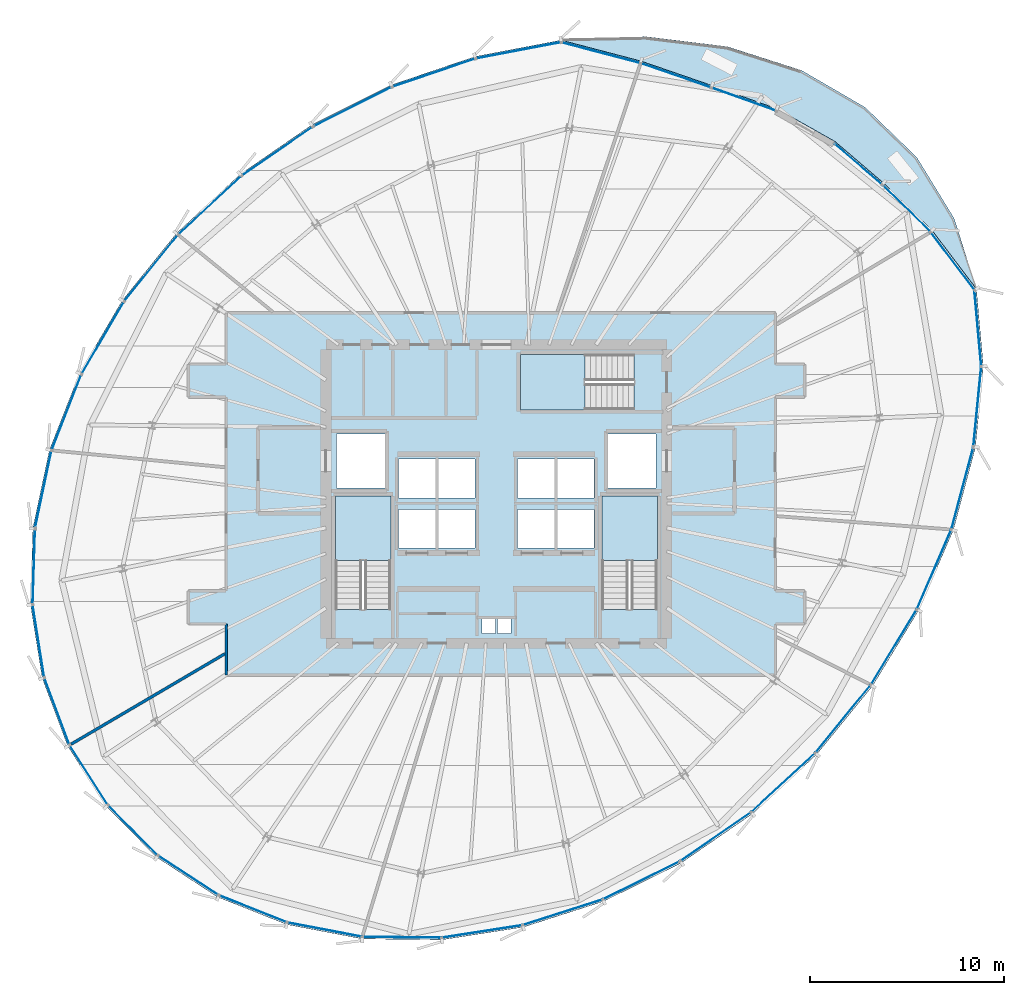
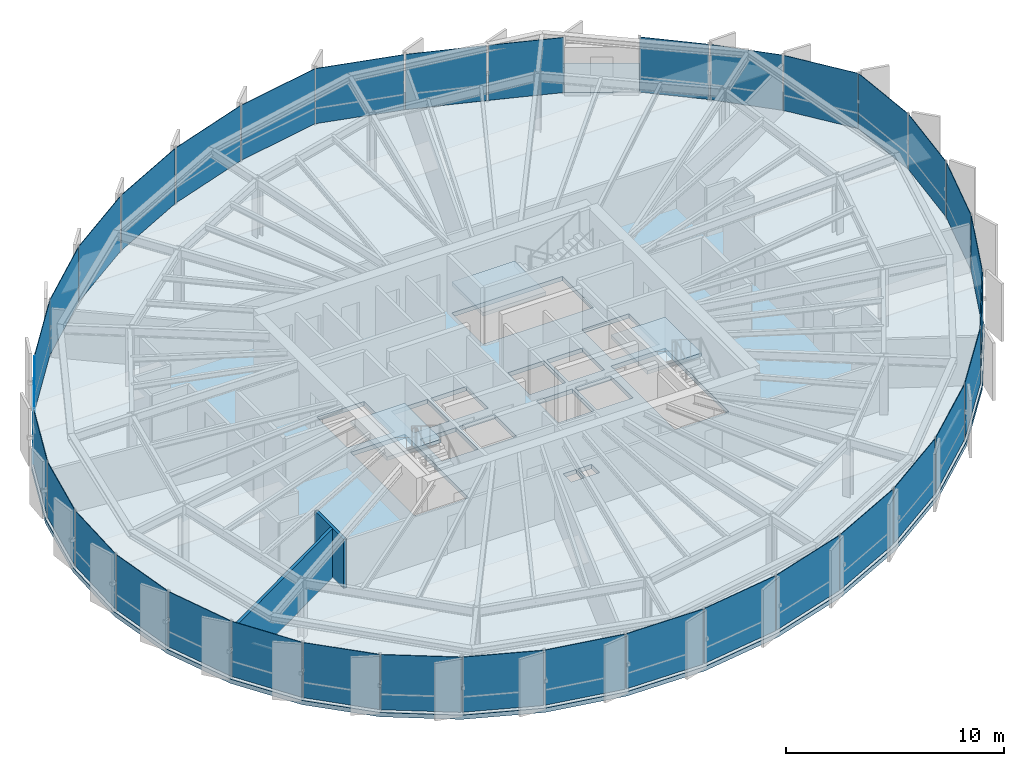
# One storey, part 28 of 34: 35 plates, 5 slabs, 2 walls, 10 elements without a shape of their own.
"""IFC4 building model written with IfcOpenShell, lengths in metres."""

from ifc_helpers import new_model, si_unit, direction, frame, frame_2d, origin, origin_2d, place, context, subcontext, project, spatial, polyline, rectangle, outline, extrude, source, transform, mapped, material, layer, layer_set, type_object, element, aggregate, save


model = new_model("IFC4")

# Units and contexts
model_context = context("Model", 3, precision=1e-05, world=origin(), true_north=direction((0.0, 1.0)))
body_context = subcontext(model_context, "Body", "Model", "MODEL_VIEW")
ifc_project = project(units=[si_unit("LENGTHUNIT", "METRE"), si_unit("AREAUNIT", "SQUARE_METRE"), si_unit("VOLUMEUNIT", "CUBIC_METRE"), si_unit("PLANEANGLEUNIT", "RADIAN"), si_unit("MASSUNIT", "GRAM", prefix="KILO"), si_unit("THERMODYNAMICTEMPERATUREUNIT", "KELVIN")], contexts=[model_context])

# Site, building, storey
site_placement = place(None, origin())
site = spatial("IfcSite", under=ifc_project, at=site_placement, CompositionType="ELEMENT")
building_placement = place(site_placement, origin())
building = spatial("IfcBuilding", under=site, at=building_placement, Name="Kethvar Cultural Tower", CompositionType="ELEMENT")
storey_placement = place(building_placement, frame((0.0, 0.0, 190.39990234375)))
storey = spatial("IfcBuildingStorey", under=building, at=storey_placement, Name="L49", CompositionType="ELEMENT", Elevation=190.39990234375)

# Stair, slab
ifc_material_1 = material(Name="Concrete C40/50", Category="concrete")
stair_type = type_object("IfcStairType", Name="ST-DOGLEG-135", PredefinedType="HALF_TURN_STAIR", material=ifc_material_1)
stair_1_placement = place(storey_placement, origin())
stair_1 = element("IfcStair", 1, at=stair_1_placement, inside=storey, type_object=stair_type, Name="L49 Core Exit Stair 1", PredefinedType="HALF_TURN_STAIR")
ifc_layer_1 = layer(ifc_material_1, 0.199951171875, Name="Concrete C40/50", Category="concrete")
ifc_layer_set_1 = layer_set([ifc_layer_1], Name="Concrete C40/50 (200 mm)")
slab_type_1 = type_object("IfcSlabType", Name="SL-STAIR-LANDING-200", PredefinedType="LANDING", material=ifc_layer_set_1)
slab_1_placement = place(storey_placement, frame((0.0, 0.0, 1.550048828125)))
slab_1 = element("IfcSlab", 2, at=slab_1_placement, type_object=slab_type_1, Name="ST-01 landing 1", PredefinedType="LANDING", context=body_context, shape_type="SweptSolid", body=[
    extrude(outline(polyline([(41.35009765625, 24.3701171875), (41.35009765625, 27.699951171875), (38.489990234375, 27.699951171875), (38.489990234375, 24.3701171875), (41.35009765625, 24.3701171875)])), origin(), (0.0, 0.0, 1.0), 0.199951171875),
])
aggregate(stair_1, [slab_1])

stair_2_placement = place(storey_placement, origin())
stair_2 = element("IfcStair", 3, at=stair_2_placement, inside=storey, type_object=stair_type, Name="L49 Core Exit Stair 2", PredefinedType="HALF_TURN_STAIR")
slab_2_placement = place(storey_placement, frame((0.0, 0.0, 1.550048828125)))
slab_2 = element("IfcSlab", 4, at=slab_2_placement, type_object=slab_type_1, Name="ST-02 landing 1", PredefinedType="LANDING", context=body_context, shape_type="SweptSolid", body=[
    extrude(outline(polyline([(55.110107421875, 24.3701171875), (55.110107421875, 27.699951171875), (52.25, 27.699951171875), (52.25, 24.3701171875), (55.110107421875, 24.3701171875)])), origin(), (0.0, 0.0, 1.0), 0.199951171875),
])
aggregate(stair_2, [slab_2])

stair_3_placement = place(storey_placement, origin())
stair_3 = element("IfcStair", 5, at=stair_3_placement, inside=storey, type_object=stair_type, Name="L49 Core Exit Stair 3", PredefinedType="HALF_TURN_STAIR")
slab_3_placement = place(storey_placement, frame((0.0, 0.0, 1.550048828125)))
slab_3 = element("IfcSlab", 6, at=slab_3_placement, type_object=slab_type_1, Name="ST-03 landing 1", PredefinedType="LANDING", context=body_context, shape_type="SweptSolid", body=[
    extrude(outline(polyline([(51.3798828125, 35.010009765625), (48.050048828125, 35.010009765625), (48.050048828125, 32.14990234375), (51.3798828125, 32.14990234375), (51.3798828125, 35.010009765625)])), origin(), (0.0, 0.0, 1.0), 0.199951171875),
])
aggregate(stair_3, [slab_3])

# Slabs
ifc_layer_2 = layer(ifc_material_1, 0.215087890625, Name="Concrete C40/50", Category="concrete")
ifc_layer_set_2 = layer_set([ifc_layer_2], Name="Concrete C40/50 (215 mm)")
slab_type_2 = type_object("IfcSlabType", Name="SL-TER-EXT", PredefinedType="FLOOR", material=ifc_layer_set_2)
slab_4_placement = place(storey_placement, frame((0.0, 0.0, -0.21484375)))
element("IfcSlab", 7, at=slab_4_placement, inside=storey, type_object=slab_type_2, Name="L49 Spiralling Sky Terrace Deck", PredefinedType="FLOOR", context=body_context, shape_type="SweptSolid", body=[
    extrude(outline(polyline([(71.587890625, 38.38671875), (70.435546875, 42.028076171875), (68.5029296875, 45.1875), (65.84130859375, 47.7626953125), (62.5390625, 49.681640625), (58.71875, 50.90380859375), (54.5283203125, 51.41748046875), (50.130615234375, 51.23583984375), (54.27490234375, 50.150146484375), (57.933349609375, 48.889404296875), (61.318115234375, 47.673583984375), (64.290283203125, 45.9970703125), (66.815673828125, 43.835693359375), (69.3017578125, 41.4072265625), (71.587890625, 38.38671875)])), origin(), (0.0, 0.0, 1.0), 0.21484375),
])
ifc_layer_3 = layer(ifc_material_1, 0.239990234375, Name="Concrete C40/50", Category="concrete")
ifc_layer_set_3 = layer_set([ifc_layer_3], Name="Concrete C40/50 (240 mm)")
slab_type_3 = type_object("IfcSlabType", Name="SL-TOW-240", PredefinedType="FLOOR", material=ifc_layer_set_3)
slab_5_placement = place(storey_placement, frame((0.0, 0.0, -0.239990234375)))
element("IfcSlab", 8, at=slab_5_placement, inside=storey, type_object=slab_type_3, Name="L49 Structural Floor Slab", PredefinedType="FLOOR", context=body_context, shape_type="SweptSolid", body=[
    extrude(outline(polyline([(66.815673828125, 43.835693359375), (64.290283203125, 45.9970703125), (61.318115234375, 47.673583984375), (57.933349609375, 48.889404296875), (54.27490234375, 50.150146484375), (50.130615234375, 51.23583984375), (45.690673828125, 50.389404296875), (41.364990234375, 48.9208984375), (37.28955078125, 46.87890625), (33.5712890625, 44.31201171875), (30.274658203125, 41.259033203125), (27.47998046875, 37.797119140625), (25.272705078125, 34.031494140625), (23.71923828125, 30.076416015625), (22.866943359375, 26.052001953125), (22.7421875, 22.0810546875), (23.34814453125, 18.28369140625), (24.666748046875, 14.775390625), (26.657958984375, 11.6630859375), (29.260986328125, 9.041015625), (32.39697265625, 6.98876953125), (35.970703125, 5.569091796875), (39.873291015625, 4.82470703125), (43.986572265625, 4.778564453125), (48.185302734375, 5.431640625), (52.341796875, 6.7646484375), (56.330078125, 8.73681640625), (60.028564453125, 11.2880859375), (63.344970703125, 14.356689453125), (66.2265625, 17.888427734375), (68.603271484375, 21.789794921875), (70.39794921875, 25.93798828125), (71.53466796875, 30.190185546875), (71.947265625, 34.3916015625), (71.587890625, 38.38671875), (69.3017578125, 41.4072265625), (66.815673828125, 43.835693359375)]), holes=[polyline([(38.489990234375, 21.85009765625), (38.489990234375, 27.699951171875), (41.35009765625, 27.699951171875), (41.35009765625, 21.85009765625), (38.489990234375, 21.85009765625)]), polyline([(52.25, 21.85009765625), (52.25, 27.699951171875), (55.110107421875, 27.699951171875), (55.110107421875, 21.85009765625), (52.25, 21.85009765625)]), polyline([(53.89990234375, 32.14990234375), (48.050048828125, 32.14990234375), (48.050048828125, 35.010009765625), (53.89990234375, 35.010009765625), (53.89990234375, 32.14990234375)]), polyline([(41.75, 27.0), (43.64990234375, 27.0), (43.64990234375, 25.0), (41.75, 25.0), (41.75, 27.0)]), polyline([(43.800048828125, 27.0), (45.699951171875, 27.0), (45.699951171875, 25.0), (43.800048828125, 25.0), (43.800048828125, 27.0)]), polyline([(47.89990234375, 27.0), (49.800048828125, 27.0), (49.800048828125, 25.0), (47.89990234375, 25.0), (47.89990234375, 27.0)]), polyline([(49.949951171875, 27.0), (51.85009765625, 27.0), (51.85009765625, 25.0), (49.949951171875, 25.0), (49.949951171875, 27.0)]), polyline([(41.75, 29.60009765625), (43.64990234375, 29.60009765625), (43.64990234375, 27.60009765625), (41.75, 27.60009765625), (41.75, 29.60009765625)]), polyline([(43.800048828125, 29.60009765625), (45.699951171875, 29.60009765625), (45.699951171875, 27.60009765625), (43.800048828125, 27.60009765625), (43.800048828125, 29.60009765625)]), polyline([(47.89990234375, 29.60009765625), (49.800048828125, 29.60009765625), (49.800048828125, 27.60009765625), (47.89990234375, 27.60009765625), (47.89990234375, 29.60009765625)]), polyline([(49.949951171875, 29.60009765625), (51.85009765625, 29.60009765625), (51.85009765625, 27.60009765625), (49.949951171875, 27.60009765625), (49.949951171875, 29.60009765625)]), polyline([(38.550048828125, 30.89990234375), (41.050048828125, 30.89990234375), (41.050048828125, 28.10009765625), (38.550048828125, 28.10009765625), (38.550048828125, 30.89990234375)]), polyline([(52.550048828125, 30.89990234375), (55.050048828125, 30.89990234375), (55.050048828125, 28.10009765625), (52.550048828125, 28.10009765625), (52.550048828125, 30.89990234375)]), polyline([(46.050048828125, 21.35009765625), (46.75, 21.35009765625), (46.75, 20.60009765625), (46.050048828125, 20.60009765625), (46.050048828125, 21.35009765625)]), polyline([(46.85009765625, 21.35009765625), (47.550048828125, 21.35009765625), (47.550048828125, 20.60009765625), (46.85009765625, 20.60009765625), (46.85009765625, 21.35009765625)])]), origin(), (0.0, 0.0, 1.0), 0.239990234375),
])

# Curtain wall, plate
ifc_material_2 = material(Name="Aluminium 6063-T6", Category="aluminium")
ifc_layer_4 = layer(ifc_material_2, 0.179931640625, Name="Aluminium 6063-T6", Category="aluminium")
ifc_layer_set_4 = layer_set([ifc_layer_4], Name="Aluminium 6063-T6 (180 mm)")
curtain_wall_type = type_object("IfcCurtainWallType", Name="CW-SYS-04-Z34", PredefinedType="NOTDEFINED", material=ifc_layer_set_4)
curtain_wall_1_placement = place(storey_placement, origin())
curtain_wall_1 = element("IfcCurtainWall", 9, at=curtain_wall_1_placement, inside=storey, type_object=curtain_wall_type, Name="L49 Curtain Wall Run 03", PredefinedType="NOTDEFINED")
ifc_material_3 = material(Name="Insulated Low-E Solar Glass", Category="glass")
ifc_layer_5 = layer(ifc_material_3, 0.030029296875, Name="Insulated Low-E Solar Glass", Category="glass")
ifc_layer_set_5 = layer_set([ifc_layer_5], Name="Insulated Low-E Solar Glass (30 mm)")
plate_type = type_object("IfcPlateType", Name="CW-SYS-04-Z34-PNL", PredefinedType="CURTAIN_PANEL", material=ifc_layer_set_5)
shared_shape_1 = source(origin(), body_context, "Body", "SweptSolid", [
    extrude(rectangle(XDim=4.431884765625, YDim=0.030029296875, at=origin_2d()), origin(), (0.0, 0.0, 1.0), 3.080078125),
])
plate_1_placement = place(storey_placement, frame((35.492919921875, 45.5048828125, 0.090087890625), z_axis=(0.0, 0.0, 1.0), x_axis=(-0.822928187648, -0.568145402142, 0.0)))
plate_1 = element("IfcPlate", 10, at=plate_1_placement, type_object=plate_type, Name="CW-L49-R03 Vision Glazing Panel 1", PredefinedType="CURTAIN_PANEL", context=body_context, shape_type="MappedRepresentation", body=[
    mapped(shared_shape_1, transform((0.0, 0.0, 0.0), scale=1.0)),
])

curtain_wall_2_placement = place(storey_placement, origin())
curtain_wall_2 = element("IfcCurtainWall", 11, at=curtain_wall_2_placement, inside=storey, type_object=curtain_wall_type, Name="L49 Curtain Wall Run 06", PredefinedType="NOTDEFINED")
plate_2_placement = place(storey_placement, frame((61.612060546875, 12.903076171875, 0.090087890625), z_axis=(0.0, 0.0, 1.0), x_axis=(0.733978843459, 0.67917233259, 0.0)))
plate_2 = element("IfcPlate", 12, at=plate_2_placement, type_object=plate_type, Name="CW-L49-R06 Vision Glazing Panel 2", PredefinedType="CURTAIN_PANEL", context=body_context, shape_type="MappedRepresentation", body=[
    mapped(shared_shape_1, transform((0.0, 0.0, 0.0), scale=1.0)),
])

curtain_wall_3_placement = place(storey_placement, origin())
curtain_wall_3 = element("IfcCurtainWall", 13, at=curtain_wall_3_placement, inside=storey, type_object=curtain_wall_type, Name="L49 Curtain Wall Run 04", PredefinedType="NOTDEFINED")
shared_shape_2 = source(origin(), body_context, "Body", "SweptSolid", [
    extrude(rectangle(XDim=3.759033203125, YDim=0.030029296875, at=origin_2d()), origin(), (0.0, 0.0, 1.0), 3.080078125),
])
plate_3_placement = place(storey_placement, frame((23.15380859375, 20.19970703125, 0.090087890625), z_axis=(0.0, 0.0, 1.0), x_axis=(0.157589331527, -0.987504735477, 0.0)))
plate_3 = element("IfcPlate", 14, at=plate_3_placement, type_object=plate_type, Name="CW-L49-R04 Vision Glazing Panel 2", PredefinedType="CURTAIN_PANEL", context=body_context, shape_type="MappedRepresentation", body=[
    mapped(shared_shape_2, transform((0.0, 0.0, 0.0), scale=1.0)),
])

curtain_wall_4_placement = place(storey_placement, origin())
curtain_wall_4 = element("IfcCurtainWall", 15, at=curtain_wall_4_placement, inside=storey, type_object=curtain_wall_type, Name="L49 Curtain Wall Run 05", PredefinedType="NOTDEFINED")
plate_4_placement = place(storey_placement, frame((34.224609375, 6.381103515625, 0.090087890625), z_axis=(0.0, 0.0, 1.0), x_axis=(0.929345376257, -0.369211554031, 0.0)))
plate_4 = element("IfcPlate", 16, at=plate_4_placement, type_object=plate_type, Name="CW-L49-R05 Vision Glazing Panel 1", PredefinedType="CURTAIN_PANEL", context=body_context, shape_type="MappedRepresentation", body=[
    mapped(shared_shape_2, transform((0.0, 0.0, 0.0), scale=1.0)),
])

curtain_wall_5_placement = place(storey_placement, origin())
curtain_wall_5 = element("IfcCurtainWall", 17, at=curtain_wall_5_placement, inside=storey, type_object=curtain_wall_type, Name="L49 Curtain Wall Run 01", PredefinedType="NOTDEFINED")
shared_shape_3 = source(origin(), body_context, "Body", "SweptSolid", [
    extrude(rectangle(XDim=3.23779296875, YDim=0.030029296875, at=origin_2d()), origin(), (0.0, 0.0, 1.0), 3.080078125),
])
plate_5_placement = place(storey_placement, frame((65.4814453125, 44.832763671875, 0.090087890625), z_axis=(0.0, 0.0, 1.0), x_axis=(-0.759725448379, 0.65024398735, 0.0)))
plate_5 = element("IfcPlate", 18, at=plate_5_placement, type_object=plate_type, Name="CW-L49-R01 Vision Glazing Panel 1", PredefinedType="CURTAIN_PANEL", context=body_context, shape_type="MappedRepresentation", body=[
    mapped(shared_shape_3, transform((0.0, 0.0, 0.0), scale=1.0)),
])
aggregate(curtain_wall_5, [plate_5])

# Curtain wall, plates
curtain_wall_6_placement = place(storey_placement, origin())
curtain_wall_6 = element("IfcCurtainWall", 19, at=curtain_wall_6_placement, inside=storey, type_object=curtain_wall_type, Name="L49 Curtain Wall Run 02", PredefinedType="NOTDEFINED")
shared_shape_4 = source(origin(), body_context, "Body", "SweptSolid", [
    extrude(rectangle(XDim=3.510009765625, YDim=0.030029296875, at=origin_2d()), origin(), (0.0, 0.0, 1.0), 3.080078125),
])
plate_6_placement = place(storey_placement, frame((59.588623046875, 48.177978515625, 0.090087890625), z_axis=(0.0, 0.0, 1.0), x_axis=(-0.941128824008, 0.338048127671, 0.0)))
plate_6 = element("IfcPlate", 20, at=plate_6_placement, type_object=plate_type, Name="CW-L49-R02 Vision Glazing Panel 1", PredefinedType="CURTAIN_PANEL", context=body_context, shape_type="MappedRepresentation", body=[
    mapped(shared_shape_4, transform((0.0, 0.0, 0.0), scale=1.0)),
])
shared_shape_5 = source(origin(), body_context, "Body", "SweptSolid", [
    extrude(rectangle(XDim=3.783203125, YDim=0.030029296875, at=origin_2d()), origin(), (0.0, 0.0, 1.0), 3.080078125),
])
plate_7_placement = place(storey_placement, frame((56.068359375, 49.415771484375, 0.090087890625), z_axis=(0.0, 0.0, 1.0), x_axis=(-0.945438996067, 0.325799178508, 0.0)))
plate_7 = element("IfcPlate", 21, at=plate_7_placement, type_object=plate_type, Name="CW-L49-R02 Vision Glazing Panel 2", PredefinedType="CURTAIN_PANEL", context=body_context, shape_type="MappedRepresentation", body=[
    mapped(shared_shape_5, transform((0.0, 0.0, 0.0), scale=1.0)),
])
shared_shape_6 = source(origin(), body_context, "Body", "SweptSolid", [
    extrude(rectangle(XDim=4.197998046875, YDim=0.030029296875, at=origin_2d()), origin(), (0.0, 0.0, 1.0), 3.080078125),
])
plate_8_placement = place(storey_placement, frame((52.1748046875, 50.58642578125, 0.090087890625), z_axis=(0.0, 0.0, 1.0), x_axis=(-0.967360694949, 0.253403405401, 0.0)))
plate_8 = element("IfcPlate", 22, at=plate_8_placement, type_object=plate_type, Name="CW-L49-R02 Vision Glazing Panel 3", PredefinedType="CURTAIN_PANEL", context=body_context, shape_type="MappedRepresentation", body=[
    mapped(shared_shape_6, transform((0.0, 0.0, 0.0), scale=1.0)),
])
shared_shape_7 = source(origin(), body_context, "Body", "SweptSolid", [
    extrude(rectangle(XDim=4.43359375, YDim=0.030029296875, at=origin_2d()), origin(), (0.0, 0.0, 1.0), 3.080078125),
])
plate_9_placement = place(storey_placement, frame((47.93115234375, 50.70458984375, 0.090087890625), z_axis=(0.0, 0.0, 1.0), x_axis=(-0.982303599093, -0.187295593139, 0.0)))
plate_9 = element("IfcPlate", 23, at=plate_9_placement, type_object=plate_type, Name="CW-L49-R02 Vision Glazing Panel 4", PredefinedType="CURTAIN_PANEL", context=body_context, shape_type="MappedRepresentation", body=[
    mapped(shared_shape_7, transform((0.0, 0.0, 0.0), scale=1.0)),
])
shared_shape_8 = source(origin(), body_context, "Body", "SweptSolid", [
    extrude(rectangle(XDim=4.481689453125, YDim=0.030029296875, at=origin_2d()), origin(), (0.0, 0.0, 1.0), 3.080078125),
])
plate_10_placement = place(storey_placement, frame((43.563232421875, 49.551025390625, 0.090087890625), z_axis=(0.0, 0.0, 1.0), x_axis=(-0.946930129495, -0.321439465303, 0.0)))
plate_10 = element("IfcPlate", 24, at=plate_10_placement, type_object=plate_type, Name="CW-L49-R02 Vision Glazing Panel 5", PredefinedType="CURTAIN_PANEL", context=body_context, shape_type="MappedRepresentation", body=[
    mapped(shared_shape_8, transform((0.0, 0.0, 0.0), scale=1.0)),
])

# Plate
plate_11_placement = place(storey_placement, frame((67.321044921875, 19.896240234375, 0.090087890625), z_axis=(0.0, 0.0, 1.0), x_axis=(0.520279475084, 0.853996058425, 0.0)))
plate_11 = element("IfcPlate", 25, at=plate_11_placement, type_object=plate_type, Name="CW-L49-R06 Vision Glazing Panel 4", PredefinedType="CURTAIN_PANEL", context=body_context, shape_type="MappedRepresentation", body=[
    mapped(shared_shape_8, transform((0.0, 0.0, 0.0), scale=1.0)),
])

shared_shape_9 = source(origin(), body_context, "Body", "SweptSolid", [
    extrude(rectangle(XDim=4.471923828125, YDim=0.030029296875, at=origin_2d()), origin(), (0.0, 0.0, 1.0), 3.080078125),
])
plate_12_placement = place(storey_placement, frame((39.376708984375, 47.801513671875, 0.090087890625), z_axis=(0.0, 0.0, 1.0), x_axis=(-0.894060438785, -0.447946349242, 0.0)))
plate_12 = element("IfcPlate", 26, at=plate_12_placement, type_object=plate_type, Name="CW-L49-R02 Vision Glazing Panel 6", PredefinedType="CURTAIN_PANEL", context=body_context, shape_type="MappedRepresentation", body=[
    mapped(shared_shape_9, transform((0.0, 0.0, 0.0), scale=1.0)),
])

aggregate(curtain_wall_6, [plate_6, plate_7, plate_8, plate_9, plate_10, plate_12])

plate_13_placement = place(storey_placement, frame((64.700439453125, 16.192138671875, 0.090087890625), z_axis=(0.0, 0.0, 1.0), x_axis=(0.632191592796, 0.774812099801, 0.0)))
plate_13 = element("IfcPlate", 27, at=plate_13_placement, type_object=plate_type, Name="CW-L49-R06 Vision Glazing Panel 3", PredefinedType="CURTAIN_PANEL", context=body_context, shape_type="MappedRepresentation", body=[
    mapped(shared_shape_9, transform((0.0, 0.0, 0.0), scale=1.0)),
])

shared_shape_10 = source(origin(), body_context, "Body", "SweptSolid", [
    extrude(rectangle(XDim=4.40673828125, YDim=0.030029296875, at=origin_2d()), origin(), (0.0, 0.0, 1.0), 3.080078125),
])
plate_14_placement = place(storey_placement, frame((31.997802734375, 42.704833984375, 0.090087890625), z_axis=(0.0, 0.0, 1.0), x_axis=(-0.73370614708, -0.679466915851, 0.0)))
plate_14 = element("IfcPlate", 28, at=plate_14_placement, type_object=plate_type, Name="CW-L49-R03 Vision Glazing Panel 2", PredefinedType="CURTAIN_PANEL", context=body_context, shape_type="MappedRepresentation", body=[
    mapped(shared_shape_10, transform((0.0, 0.0, 0.0), scale=1.0)),
])

plate_15_placement = place(storey_placement, frame((58.11669921875, 10.102783203125, 0.090087890625), z_axis=(0.0, 0.0, 1.0), x_axis=(0.823156189519, 0.567815011828, 0.0)))
plate_15 = element("IfcPlate", 29, at=plate_15_placement, type_object=plate_type, Name="CW-L49-R06 Vision Glazing Panel 1", PredefinedType="CURTAIN_PANEL", context=body_context, shape_type="MappedRepresentation", body=[
    mapped(shared_shape_10, transform((0.0, 0.0, 0.0), scale=1.0)),
])

shared_shape_11 = source(origin(), body_context, "Body", "SweptSolid", [
    extrude(rectangle(XDim=4.36279296875, YDim=0.030029296875, at=origin_2d()), origin(), (0.0, 0.0, 1.0), 3.080078125),
])
plate_16_placement = place(storey_placement, frame((28.962890625, 39.458984375, 0.090087890625), z_axis=(0.0, 0.0, 1.0), x_axis=(-0.628126038739, -0.778111611183, 0.0)))
plate_16 = element("IfcPlate", 30, at=plate_16_placement, type_object=plate_type, Name="CW-L49-R03 Vision Glazing Panel 3", PredefinedType="CURTAIN_PANEL", context=body_context, shape_type="MappedRepresentation", body=[
    mapped(shared_shape_11, transform((0.0, 0.0, 0.0), scale=1.0)),
])

plate_17_placement = place(storey_placement, frame((54.287109375, 7.849365234375, 0.090087890625), z_axis=(0.0, 0.0, 1.0), x_axis=(0.896393614109, 0.443258940784, 0.0)))
plate_17 = element("IfcPlate", 31, at=plate_17_placement, type_object=plate_type, Name="CW-L49-R05 Vision Glazing Panel 6", PredefinedType="CURTAIN_PANEL", context=body_context, shape_type="MappedRepresentation", body=[
    mapped(shared_shape_11, transform((0.0, 0.0, 0.0), scale=1.0)),
])

shared_shape_12 = source(origin(), body_context, "Body", "SweptSolid", [
    extrude(rectangle(XDim=4.27880859375, YDim=0.030029296875, at=origin_2d()), origin(), (0.0, 0.0, 1.0), 3.080078125),
])
plate_18_placement = place(storey_placement, frame((26.47119140625, 35.858642578125, 0.090087890625), z_axis=(0.0, 0.0, 1.0), x_axis=(-0.505717602368, -0.862699082331, 0.0)))
plate_18 = element("IfcPlate", 32, at=plate_18_placement, type_object=plate_type, Name="CW-L49-R03 Vision Glazing Panel 4", PredefinedType="CURTAIN_PANEL", context=body_context, shape_type="MappedRepresentation", body=[
    mapped(shared_shape_12, transform((0.0, 0.0, 0.0), scale=1.0)),
])

plate_19_placement = place(storey_placement, frame((50.22998046875, 6.202880859375, 0.090087890625), z_axis=(0.0, 0.0, 1.0), x_axis=(0.952236042525, 0.30536293049, 0.0)))
plate_19 = element("IfcPlate", 33, at=plate_19_placement, type_object=plate_type, Name="CW-L49-R05 Vision Glazing Panel 5", PredefinedType="CURTAIN_PANEL", context=body_context, shape_type="MappedRepresentation", body=[
    mapped(shared_shape_12, transform((0.0, 0.0, 0.0), scale=1.0)),
])

shared_shape_13 = source(origin(), body_context, "Body", "SweptSolid", [
    extrude(rectangle(XDim=4.162841796875, YDim=0.030029296875, at=origin_2d()), origin(), (0.0, 0.0, 1.0), 3.080078125),
])
plate_20_placement = place(storey_placement, frame((24.598388671875, 32.013671875, 0.090087890625), z_axis=(0.0, 0.0, 1.0), x_axis=(-0.365575431065, -0.930781716732, 0.0)))
plate_20 = element("IfcPlate", 34, at=plate_20_placement, type_object=plate_type, Name="CW-L49-R03 Vision Glazing Panel 5", PredefinedType="CURTAIN_PANEL", context=body_context, shape_type="MappedRepresentation", body=[
    mapped(shared_shape_13, transform((0.0, 0.0, 0.0), scale=1.0)),
])

plate_21_placement = place(storey_placement, frame((46.069091796875, 5.2138671875, 0.090087890625), z_axis=(0.0, 0.0, 1.0), x_axis=(0.988113288572, 0.153727450208, 0.0)))
plate_21 = element("IfcPlate", 35, at=plate_21_placement, type_object=plate_type, Name="CW-L49-R05 Vision Glazing Panel 4", PredefinedType="CURTAIN_PANEL", context=body_context, shape_type="MappedRepresentation", body=[
    mapped(shared_shape_13, transform((0.0, 0.0, 0.0), scale=1.0)),
])

shared_shape_14 = source(origin(), body_context, "Body", "SweptSolid", [
    extrude(rectangle(XDim=4.027099609375, YDim=0.030029296875, at=origin_2d()), origin(), (0.0, 0.0, 1.0), 3.080078125),
])
plate_22_placement = place(storey_placement, frame((23.40087890625, 28.04150390625, 0.090087890625), z_axis=(0.0, 0.0, 1.0), x_axis=(-0.207177540798, -0.978303361227, 0.0)))
plate_22 = element("IfcPlate", 36, at=plate_22_placement, type_object=plate_type, Name="CW-L49-R03 Vision Glazing Panel 6", PredefinedType="CURTAIN_PANEL", context=body_context, shape_type="MappedRepresentation", body=[
    mapped(shared_shape_14, transform((0.0, 0.0, 0.0), scale=1.0)),
])

aggregate(curtain_wall_1, [plate_1, plate_14, plate_16, plate_18, plate_20, plate_22])

plate_23_placement = place(storey_placement, frame((41.93115234375, 4.91162109375, 0.090087890625), z_axis=(0.0, 0.0, 1.0), x_axis=(0.99993683276, -0.011239683717, 0.0)))
plate_23 = element("IfcPlate", 37, at=plate_23_placement, type_object=plate_type, Name="CW-L49-R05 Vision Glazing Panel 3", PredefinedType="CURTAIN_PANEL", context=body_context, shape_type="MappedRepresentation", body=[
    mapped(shared_shape_14, transform((0.0, 0.0, 0.0), scale=1.0)),
])

shared_shape_15 = source(origin(), body_context, "Body", "SweptSolid", [
    extrude(rectangle(XDim=3.88671875, YDim=0.030029296875, at=origin_2d()), origin(), (0.0, 0.0, 1.0), 3.080078125),
])
plate_24_placement = place(storey_placement, frame((22.91455078125, 24.06298828125, 0.090087890625), z_axis=(0.0, 0.0, 1.0), x_axis=(-0.031428203754, -0.999506011992, 0.0)))
plate_24 = element("IfcPlate", 38, at=plate_24_placement, type_object=plate_type, Name="CW-L49-R04 Vision Glazing Panel 1", PredefinedType="CURTAIN_PANEL", context=body_context, shape_type="MappedRepresentation", body=[
    mapped(shared_shape_15, transform((0.0, 0.0, 0.0), scale=1.0)),
])

plate_25_placement = place(storey_placement, frame((37.942626953125, 5.304931640625, 0.090087890625), z_axis=(0.0, 0.0, 1.0), x_axis=(0.982297060645, -0.187329881889, 0.0)))
plate_25 = element("IfcPlate", 39, at=plate_25_placement, type_object=plate_type, Name="CW-L49-R05 Vision Glazing Panel 2", PredefinedType="CURTAIN_PANEL", context=body_context, shape_type="MappedRepresentation", body=[
    mapped(shared_shape_15, transform((0.0, 0.0, 0.0), scale=1.0)),
])

aggregate(curtain_wall_4, [plate_4, plate_25, plate_23, plate_21, plate_19, plate_17])

shared_shape_16 = source(origin(), body_context, "Body", "SweptSolid", [
    extrude(rectangle(XDim=3.66162109375, YDim=0.030029296875, at=origin_2d()), origin(), (0.0, 0.0, 1.0), 3.080078125),
])
plate_26_placement = place(storey_placement, frame((24.1103515625, 16.568359375, 0.090087890625), z_axis=(0.0, 0.0, 1.0), x_axis=(0.35182531103, -0.936065676392, 0.0)))
plate_26 = element("IfcPlate", 40, at=plate_26_placement, type_object=plate_type, Name="CW-L49-R04 Vision Glazing Panel 3", PredefinedType="CURTAIN_PANEL", context=body_context, shape_type="MappedRepresentation", body=[
    mapped(shared_shape_16, transform((0.0, 0.0, 0.0), scale=1.0)),
])

shared_shape_17 = source(origin(), body_context, "Body", "SweptSolid", [
    extrude(rectangle(XDim=3.6083984375, YDim=0.030029296875, at=origin_2d()), origin(), (0.0, 0.0, 1.0), 3.080078125),
])
plate_27_placement = place(storey_placement, frame((25.7548828125, 13.278564453125, 0.090087890625), z_axis=(0.0, 0.0, 1.0), x_axis=(0.538917812481, -0.842358350935, 0.0)))
plate_27 = element("IfcPlate", 41, at=plate_27_placement, type_object=plate_type, Name="CW-L49-R04 Vision Glazing Panel 4", PredefinedType="CURTAIN_PANEL", context=body_context, shape_type="MappedRepresentation", body=[
    mapped(shared_shape_17, transform((0.0, 0.0, 0.0), scale=1.0)),
])

plate_28_placement = place(storey_placement, frame((28.03759765625, 10.429443359375, 0.090087890625), z_axis=(0.0, 0.0, 1.0), x_axis=(0.70453512833, -0.709669115115, 0.0)))
plate_28 = element("IfcPlate", 42, at=plate_28_placement, type_object=plate_type, Name="CW-L49-R04 Vision Glazing Panel 5", PredefinedType="CURTAIN_PANEL", context=body_context, shape_type="MappedRepresentation", body=[
    mapped(shared_shape_17, transform((0.0, 0.0, 0.0), scale=1.0)),
])

shared_shape_18 = source(origin(), body_context, "Body", "SweptSolid", [
    extrude(rectangle(XDim=3.661376953125, YDim=0.030029296875, at=origin_2d()), origin(), (0.0, 0.0, 1.0), 3.080078125),
])
plate_29_placement = place(storey_placement, frame((30.889404296875, 8.10693359375, 0.090087890625), z_axis=(0.0, 0.0, 1.0), x_axis=(0.83675475655, -0.547577827701, 0.0)))
plate_29 = element("IfcPlate", 43, at=plate_29_placement, type_object=plate_type, Name="CW-L49-R04 Vision Glazing Panel 6", PredefinedType="CURTAIN_PANEL", context=body_context, shape_type="MappedRepresentation", body=[
    mapped(shared_shape_18, transform((0.0, 0.0, 0.0), scale=1.0)),
])

aggregate(curtain_wall_3, [plate_24, plate_3, plate_26, plate_27, plate_28, plate_29])

shared_shape_19 = source(origin(), body_context, "Body", "SweptSolid", [
    extrude(rectangle(XDim=4.433349609375, YDim=0.030029296875, at=origin_2d()), origin(), (0.0, 0.0, 1.0), 3.080078125),
])
plate_30_placement = place(storey_placement, frame((69.399658203125, 23.907470703125, 0.090087890625), z_axis=(0.0, 0.0, 1.0), x_axis=(0.397051781418, 0.917796209882, 0.0)))
plate_30 = element("IfcPlate", 44, at=plate_30_placement, type_object=plate_type, Name="CW-L49-R06 Vision Glazing Panel 5", PredefinedType="CURTAIN_PANEL", context=body_context, shape_type="MappedRepresentation", body=[
    mapped(shared_shape_19, transform((0.0, 0.0, 0.0), scale=1.0)),
])

shared_shape_20 = source(origin(), body_context, "Body", "SweptSolid", [
    extrude(rectangle(XDim=4.315185546875, YDim=0.030029296875, at=origin_2d()), origin(), (0.0, 0.0, 1.0), 3.080078125),
])
plate_31_placement = place(storey_placement, frame((70.860107421875, 28.09228515625, 0.090087890625), z_axis=(0.0, 0.0, 1.0), x_axis=(0.258245807642, 0.966079242524, 0.0)))
plate_31 = element("IfcPlate", 45, at=plate_31_placement, type_object=plate_type, Name="CW-L49-R06 Vision Glazing Panel 6", PredefinedType="CURTAIN_PANEL", context=body_context, shape_type="MappedRepresentation", body=[
    mapped(shared_shape_20, transform((0.0, 0.0, 0.0), scale=1.0)),
])

aggregate(curtain_wall_2, [plate_15, plate_2, plate_13, plate_11, plate_30, plate_31])

# Curtain wall, plates
curtain_wall_7_placement = place(storey_placement, origin())
curtain_wall_7 = element("IfcCurtainWall", 46, at=curtain_wall_7_placement, inside=storey, type_object=curtain_wall_type, Name="L49 Curtain Wall Run 07", PredefinedType="NOTDEFINED")
shared_shape_21 = source(origin(), body_context, "Body", "SweptSolid", [
    extrude(rectangle(XDim=4.135498046875, YDim=0.030029296875, at=origin_2d()), origin(), (0.0, 0.0, 1.0), 3.080078125),
])
plate_32_placement = place(storey_placement, frame((71.631591796875, 32.301513671875, 0.090087890625), z_axis=(0.0, 0.0, 1.0), x_axis=(0.097756598221, 0.995210353395, 0.0)))
plate_32 = element("IfcPlate", 47, at=plate_32_placement, type_object=plate_type, Name="CW-L49-R07 Vision Glazing Panel 1", PredefinedType="CURTAIN_PANEL", context=body_context, shape_type="MappedRepresentation", body=[
    mapped(shared_shape_21, transform((0.0, 0.0, 0.0), scale=1.0)),
])
shared_shape_22 = source(origin(), body_context, "Body", "SweptSolid", [
    extrude(rectangle(XDim=3.9248046875, YDim=0.030029296875, at=origin_2d()), origin(), (0.0, 0.0, 1.0), 3.080078125),
])
plate_33_placement = place(storey_placement, frame((71.658203125, 36.37939453125, 0.090087890625), z_axis=(0.0, 0.0, 1.0), x_axis=(-0.089607026085, 0.995977198974, 0.0)))
plate_33 = element("IfcPlate", 48, at=plate_33_placement, type_object=plate_type, Name="CW-L49-R07 Vision Glazing Panel 2", PredefinedType="CURTAIN_PANEL", context=body_context, shape_type="MappedRepresentation", body=[
    mapped(shared_shape_22, transform((0.0, 0.0, 0.0), scale=1.0)),
])
shared_shape_23 = source(origin(), body_context, "Body", "SweptSolid", [
    extrude(rectangle(XDim=3.70166015625, YDim=0.030029296875, at=origin_2d()), origin(), (0.0, 0.0, 1.0), 3.080078125),
])
plate_34_placement = place(storey_placement, frame((70.357177734375, 39.83056640625, 0.090087890625), z_axis=(0.0, 0.0, 1.0), x_axis=(-0.603486360302, 0.797373320929, 0.0)))
plate_34 = element("IfcPlate", 49, at=plate_34_placement, type_object=plate_type, Name="CW-L49-R07 Vision Glazing Panel 3", PredefinedType="CURTAIN_PANEL", context=body_context, shape_type="MappedRepresentation", body=[
    mapped(shared_shape_23, transform((0.0, 0.0, 0.0), scale=1.0)),
])
shared_shape_24 = source(origin(), body_context, "Body", "SweptSolid", [
    extrude(rectangle(XDim=3.388916015625, YDim=0.030029296875, at=origin_2d()), origin(), (0.0, 0.0, 1.0), 3.080078125),
])
plate_35_placement = place(storey_placement, frame((67.98193359375, 42.542724609375, 0.090087890625), z_axis=(0.0, 0.0, 1.0), x_axis=(-0.715375729223, 0.698739984571, 0.0)))
plate_35 = element("IfcPlate", 50, at=plate_35_placement, type_object=plate_type, Name="CW-L49-R07 Vision Glazing Panel 4", PredefinedType="CURTAIN_PANEL", context=body_context, shape_type="MappedRepresentation", body=[
    mapped(shared_shape_24, transform((0.0, 0.0, 0.0), scale=1.0)),
])
aggregate(curtain_wall_7, [plate_32, plate_33, plate_34, plate_35])

# Walls
ifc_material_4 = material(Name="Gypsum Fireboard Partition")
ifc_layer_6 = layer(ifc_material_4, 0.14990234375, Name="Gypsum Fireboard Partition")
ifc_layer_set_6 = layer_set([ifc_layer_6], Name="Gypsum Fireboard Partition (150 mm)")
wall_type_1 = type_object("IfcWallType", Name="WL-FIRE-150", PredefinedType="PARTITIONING", material=ifc_layer_set_6)
wall_1_placement = place(storey_placement, frame((32.85009765625, 21.10009765625, 0.0), z_axis=(0.0, 0.0, 1.0), x_axis=(0.0, -1.0, 0.0)))
element("IfcWall", 51, at=wall_1_placement, inside=storey, type_object=wall_type_1, Name="L49 Corridor Rated Wall W1", PredefinedType="PARTITIONING", context=body_context, shape_type="SweptSolid", body=[
    extrude(rectangle(XDim=2.650146484375, YDim=0.14990234375, at=frame_2d((1.3251953125, 0.0))), origin(), (0.0, 0.0, 1.0), 2.735107421875),
])
ifc_material_5 = material(Name="Gypsum Acoustic Partition")
ifc_layer_7 = layer(ifc_material_5, 0.14990234375, Name="Gypsum Acoustic Partition")
ifc_layer_set_7 = layer_set([ifc_layer_7], Name="Gypsum Acoustic Partition (150 mm)")
wall_type_2 = type_object("IfcWallType", Name="WL-PART-150", PredefinedType="PARTITIONING", material=ifc_layer_set_7)
wall_2_placement = place(storey_placement, frame((32.781005859375, 19.550537109375, 0.0), z_axis=(0.0, 0.0, 1.0), x_axis=(-0.862066458286, -0.506795246129, 0.0)))
element("IfcWall", 52, at=wall_2_placement, inside=storey, type_object=wall_type_2, Name="L49 Radial Partition Wall 01", PredefinedType="PARTITIONING", context=body_context, shape_type="SweptSolid", body=[
    extrude(rectangle(XDim=9.205078125, YDim=0.14990234375, at=frame_2d((4.6025390625, 0.0))), origin(), (0.0, 0.0, 1.0), 2.735107421875),
])

save(model, "model.ifc")
